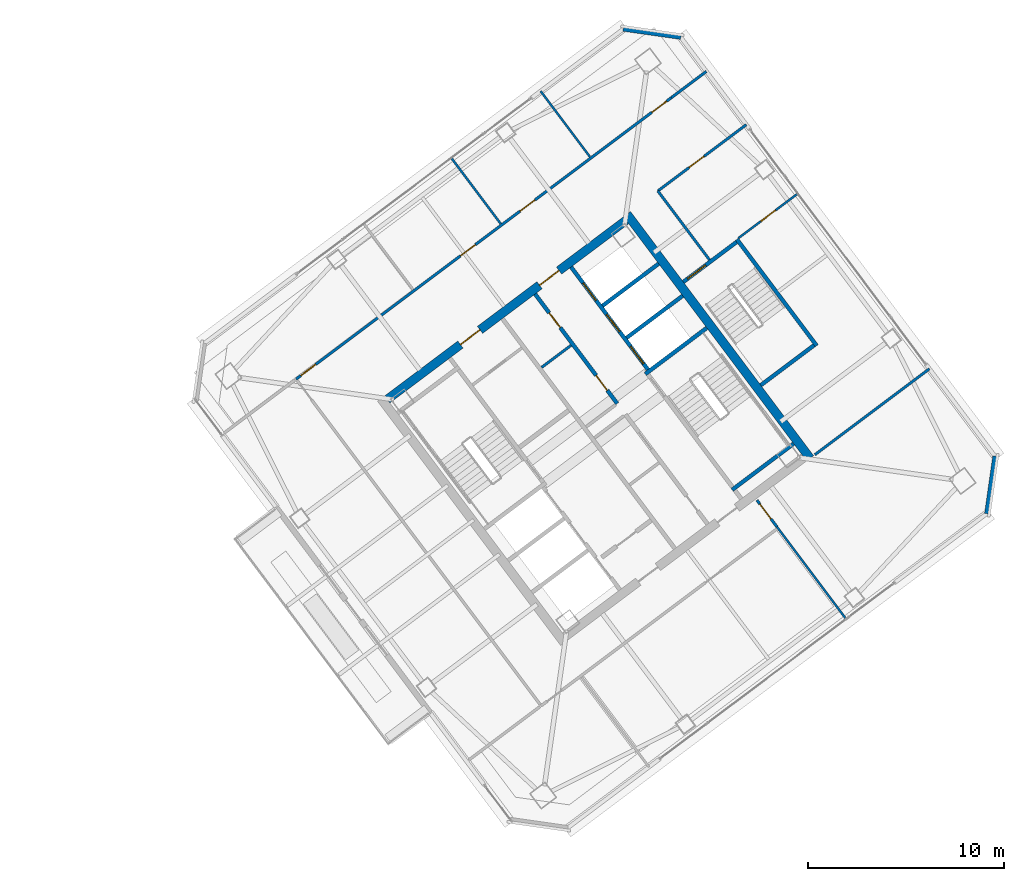
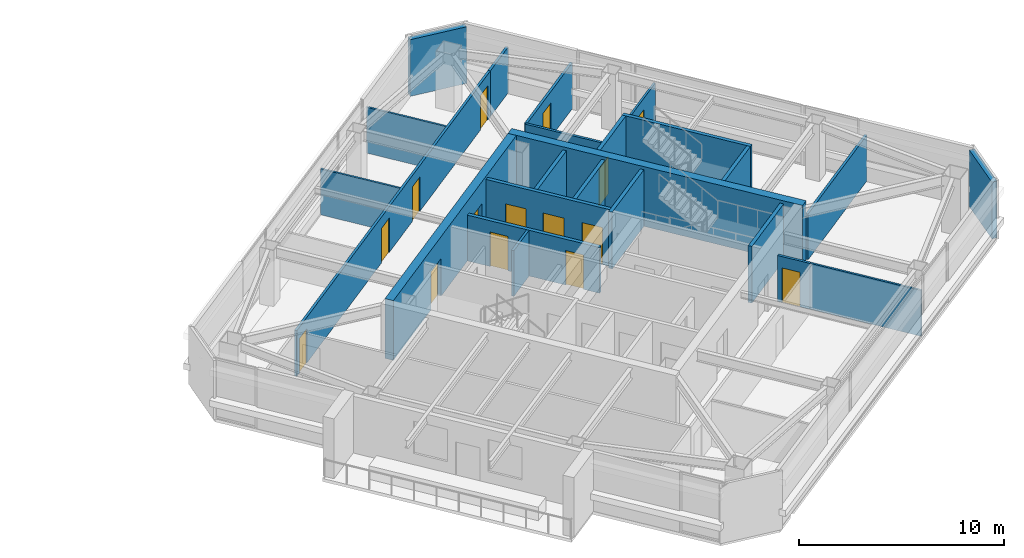
# One storey, part 32 of 40: 24 walls, 15 doors, 15 openings.
"""IFC4 building model written with IfcOpenShell, lengths in metres."""

from ifc_helpers import new_model, si_unit, direction, frame, frame_2d, origin, place, context, subcontext, project, spatial, rectangle, extrude, material, layer, layer_set, type_object, element, fill, save


model = new_model("IFC4")

# Units and contexts
model_context = context("Model", 3, precision=1e-05, world=origin(), true_north=direction((0.0, 1.0)))
body_context = subcontext(model_context, "Body", "Model", "MODEL_VIEW")
ifc_project = project(units=[si_unit("LENGTHUNIT", "METRE"), si_unit("AREAUNIT", "SQUARE_METRE"), si_unit("VOLUMEUNIT", "CUBIC_METRE"), si_unit("PLANEANGLEUNIT", "RADIAN"), si_unit("MASSUNIT", "GRAM", prefix="KILO")], contexts=[model_context])

# Site, building, storey
site_placement = place(None, origin())
site = spatial("IfcSite", under=ifc_project, at=site_placement, CompositionType="ELEMENT")
building_placement = place(site_placement, origin())
building = spatial("IfcBuilding", under=site, at=building_placement, Name="Tashvorn Skyway Center", CompositionType="ELEMENT")
storey_placement = place(building_placement, frame((0.0, 0.0, 221.949951171875)))
storey = spatial("IfcBuildingStorey", under=building, at=storey_placement, Name="L60", CompositionType="ELEMENT", Elevation=221.949951171875)

# Wall
ifc_material_1 = material(Name="Concrete C50/60", Category="concrete")
ifc_layer_1 = layer(ifc_material_1, 0.449951171875)
ifc_layer_set_1 = layer_set([ifc_layer_1], Name="Concrete C50/60")
wall_type_1 = type_object("IfcWallType", Name="WALL-CORE-450", PredefinedType="SHEAR", material=ifc_layer_set_1)
wall_1_placement = place(storey_placement, frame((115.60400390625, 42.952880859375, 0.0), z_axis=(0.0, 0.0, 1.0), x_axis=(0.600005007985, -0.799996243986, 0.0)))
element("IfcWall", 1, at=wall_1_placement, inside=storey, type_object=wall_type_1, Name="Tower 2 L60 East Core Shear Wall", PredefinedType="SHEAR", context=body_context, shape_type="SweptSolid", body=[
    extrude(rectangle(XDim=15.60009765625, YDim=0.449951171875, at=frame_2d((7.800048828125, 0.0))), origin(), (0.0, 0.0, 1.0), 3.550048828125),
])

# Wall, openings, doors
wall_2_placement = place(storey_placement, frame((103.35107421875, 33.48193359375, 0.0), z_axis=(0.0, 0.0, 1.0), x_axis=(0.8, 0.6, 0.0)))
wall_2 = element("IfcWall", 2, at=wall_2_placement, inside=storey, type_object=wall_type_1, Name="Tower 2 L60 North Core Shear Wall", PredefinedType="SHEAR", context=body_context, shape_type="SweptSolid", body=[
    extrude(rectangle(XDim=15.260009765625, YDim=0.449951171875, at=frame_2d((7.6298828125, 0.0))), origin(), (0.0, 0.0, 1.0), 3.550048828125),
])
opening_1_placement = place(wall_2_placement, frame((4.679931640625, 0.0, 0.0)))
opening_1 = element("IfcOpeningElement", 3, at=opening_1_placement, cuts=wall_2, Name="Opening D-FFL-1250", PredefinedType="OPENING", context=body_context, shape_type="SweptSolid", body=[
    extrude(rectangle(XDim=1.25, YDim=2.25, at=frame_2d((0.625, 1.125))), frame((0.0, 0.23486328125, 0.0), z_axis=(0.0, -1.0, 0.0), x_axis=(1.0, 0.0, 0.0)), (0.0, 0.0, 1.0), 0.469970703125),
])
opening_2_placement = place(wall_2_placement, frame((9.72998046875, 0.0, 0.0)))
opening_2 = element("IfcOpeningElement", 4, at=opening_2_placement, cuts=wall_2, Name="Opening D-FFL-1250", PredefinedType="OPENING", context=body_context, shape_type="SweptSolid", body=[
    extrude(rectangle(XDim=1.25, YDim=2.25, at=frame_2d((0.625, 1.125))), frame((0.0, 0.23486328125, 0.0), z_axis=(0.0, -1.0, 0.0), x_axis=(1.0, 0.0, 0.0)), (0.0, 0.0, 1.0), 0.469970703125),
])
ifc_material_2 = material(Name="Hollow galvanized steel fire door assembly", Category="steel")
door_type_1 = type_object("IfcDoorType", Name="DOOR-FFL-1250", OperationType="NOTDEFINED", PredefinedType="DOOR", material=ifc_material_2)
door_1_placement = place(opening_1_placement, origin())
door_1 = element("IfcDoor", 5, at=door_1_placement, inside=storey, type_object=door_type_1, Name="Tower 2 L60 Core North Service Lobby Door", OperationType="SINGLE_SWING_LEFT", OverallHeight=2.25, OverallWidth=1.25, PredefinedType="DOOR", context=body_context, shape_type="SweptSolid", body=[
    extrude(rectangle(XDim=1.25, YDim=2.25, at=frame_2d((0.625, 1.125))), frame((0.0, 0.02490234375, 0.0), z_axis=(0.0, -1.0, 0.0), x_axis=(1.0, 0.0, 0.0)), (0.0, 0.0, 1.0), 0.050048828125),
])
fill(opening_1, door_1)
door_2_placement = place(opening_2_placement, origin())
door_2 = element("IfcDoor", 6, at=door_2_placement, inside=storey, type_object=door_type_1, Name="Tower 2 L60 Core North Lift Lobby Door", OperationType="SINGLE_SWING_RIGHT", OverallHeight=2.25, OverallWidth=1.25, PredefinedType="DOOR", context=body_context, shape_type="SweptSolid", body=[
    extrude(rectangle(XDim=1.25, YDim=2.25, at=frame_2d((0.625, 1.125))), frame((0.0, 0.02490234375, 0.0), z_axis=(0.0, -1.0, 0.0), x_axis=(1.0, 0.0, 0.0)), (0.0, 0.0, 1.0), 0.050048828125),
])
fill(opening_2, door_2)

# Walls
ifc_material_3 = material(Name="Precast concrete C40/50", Category="concrete")
ifc_layer_2 = layer(ifc_material_3, 0.280029296875)
ifc_layer_set_2 = layer_set([ifc_layer_2], Name="Precast concrete C40/50")
wall_type_2 = type_object("IfcWallType", Name="WALL-EXT-280", PredefinedType="SOLIDWALL", material=ifc_layer_set_2)
for number, where, z_axis, x_axis, name in (
    (7, (115.419921875, 52.43994140625, 0.0), (0.0, 0.0, 1.0), (0.989954425158, -0.14138683146, 0.0), "Tower 2 L60 NE Precast Chamfer Wall"),
    (8, (134.43994140625, 30.580078125, 0.0), (0.0, 0.0, 1.0), (-0.14138683146, -0.989954425158, 0.0), "Tower 2 L60 SE Precast Chamfer Wall"),
):
    element("IfcWall", number, at=place(storey_placement, frame(where, z_axis=z_axis, x_axis=x_axis)), inside=storey, type_object=wall_type_2, Name=name, PredefinedType="SOLIDWALL", context=body_context, shape_type="SweptSolid", body=[
        extrude(rectangle(XDim=2.969970703125, YDim=0.280029296875, at=frame_2d((1.48486328125, 0.0))), origin(), (0.0, 0.0, 1.0), 3.3701171875),
    ])
ifc_material_4 = material(Name="Gypsum board on cold-formed steel stud framing", Category="steel")
ifc_layer_3 = layer(ifc_material_4, 0.110107421875)
ifc_layer_set_3 = layer_set([ifc_layer_3], Name="Gypsum board on cold-formed steel stud framing")
wall_type_3 = type_object("IfcWallType", Name="WALL-PART-110", PredefinedType="PARTITIONING", material=ifc_layer_set_3)
for number, where, z_axis, x_axis, name in (
    (9, (109.152099609375, 42.464111328125, 0.0), (0.0, 0.0, 1.0), (-0.600018601461, 0.799986048566, 0.0), "Tower 2 L60 North Suite Partition 2"),
    (10, (113.7119140625, 45.884033203125, 0.0), (0.0, 0.0, 1.0), (-0.600018601461, 0.799986048566, 0.0), "Tower 2 L60 North Suite Partition 3"),
):
    element("IfcWall", number, at=place(storey_placement, frame(where, z_axis=z_axis, x_axis=x_axis)), inside=storey, type_object=wall_type_3, Name=name, PredefinedType="PARTITIONING", context=body_context, shape_type="SweptSolid", body=[
        extrude(rectangle(XDim=4.199951171875, YDim=0.110107421875, at=frame_2d((2.10009765625, 0.0))), origin(), (0.0, 0.0, 1.0), 2.72314453125),
    ])
wall_3_placement = place(storey_placement, frame((126.80810546875, 22.256103515625, 0.0), z_axis=(0.0, 0.0, 1.0), x_axis=(-0.600026527508, 0.799980103682, 0.0)))
element("IfcWall", 11, at=wall_3_placement, inside=storey, type_object=wall_type_3, Name="Tower 2 L60 South-East Suite Wall", PredefinedType="PARTITIONING", context=body_context, shape_type="SweptSolid", body=[
    extrude(rectangle(XDim=5.89013671875, YDim=0.110107421875, at=frame_2d((2.945068359375, 0.0))), origin(), (0.0, 0.0, 1.0), 2.72314453125),
])

# Wall, opening, door
wall_4_placement = place(storey_placement, frame((124.343994140625, 44.008056640625, 0.0), z_axis=(0.0, 0.0, 1.0), x_axis=(-0.8, -0.6, 0.0)))
wall_4 = element("IfcWall", 12, at=wall_4_placement, inside=storey, type_object=wall_type_3, Name="Tower 2 L60 East Suite Partition 1", PredefinedType="PARTITIONING", context=body_context, shape_type="SweptSolid", body=[
    extrude(rectangle(XDim=3.800048828125, YDim=0.110107421875, at=frame_2d((1.89990234375, 0.0))), origin(), (0.0, 0.0, 1.0), 2.72314453125),
])
opening_3_placement = place(wall_4_placement, frame((1.425048828125, 0.0, 0.0)))
opening_3 = element("IfcOpeningElement", 13, at=opening_3_placement, cuts=wall_4, Name="Opening D-INT-950", PredefinedType="OPENING", context=body_context, shape_type="SweptSolid", body=[
    extrude(rectangle(XDim=0.949951171875, YDim=2.050048828125, at=frame_2d((0.47509765625, 1.02490234375))), frame((0.0, 0.06494140625, 0.0), z_axis=(0.0, -1.0, 0.0), x_axis=(1.0, 0.0, 0.0)), (0.0, 0.0, 1.0), 0.130126953125),
])
ifc_material_5 = material(Name="Solid-core architectural oak veneer door")
door_type_2 = type_object("IfcDoorType", Name="DOOR-INT-950", OperationType="NOTDEFINED", PredefinedType="DOOR", material=ifc_material_5)
door_3_placement = place(opening_3_placement, origin())
door_3 = element("IfcDoor", 14, at=door_3_placement, inside=storey, type_object=door_type_2, Name="Tower 2 L60 Design Studio Door", OperationType="SINGLE_SWING_RIGHT", OverallHeight=2.050048828125, OverallWidth=0.949951171875, PredefinedType="DOOR", context=body_context, shape_type="SweptSolid", body=[
    extrude(rectangle(XDim=0.949951171875, YDim=2.050048828125, at=frame_2d((0.47509765625, 1.02490234375))), frame((0.0, 0.02490234375, 0.0), z_axis=(0.0, -1.0, 0.0), x_axis=(1.0, 0.0, 0.0)), (0.0, 0.0, 1.0), 0.050048828125),
])
fill(opening_3, door_3)

# Wall
ifc_layer_4 = layer(ifc_material_4, 0.135009765625)
ifc_layer_set_4 = layer_set([ifc_layer_4], Name="Gypsum board on cold-formed steel stud framing")
wall_type_4 = type_object("IfcWallType", Name="WALL-PART-135", PredefinedType="PARTITIONING", material=ifc_layer_set_4)
wall_5_placement = place(storey_placement, frame((119.823974609375, 40.617919921875, 0.0), z_axis=(0.0, 0.0, 1.0), x_axis=(-0.599982243973, 0.800013316712, 0.0)))
element("IfcWall", 15, at=wall_5_placement, inside=storey, type_object=wall_type_4, Name="Tower 2 L60 Stair 3 Access Corridor Wall", PredefinedType="PARTITIONING", context=body_context, shape_type="SweptSolid", body=[
    extrude(rectangle(XDim=4.39990234375, YDim=0.135009765625, at=frame_2d((2.199951171875, 0.0))), origin(), (0.0, 0.0, 1.0), 2.72314453125),
])

# Wall, openings, doors
wall_6_placement = place(storey_placement, frame((98.696044921875, 34.52197265625, 0.0), z_axis=(0.0, 0.0, 1.0), x_axis=(0.799998778269, 0.600001628972, 0.0)))
wall_6 = element("IfcWall", 16, at=wall_6_placement, inside=storey, type_object=wall_type_4, Name="Tower 2 L60 North Suite Wall", PredefinedType="PARTITIONING", context=body_context, shape_type="SweptSolid", body=[
    extrude(rectangle(XDim=23.979736328125, YDim=0.135009765625, at=frame_2d((11.98974609375, 0.0))), origin(), (0.0, 0.0, 1.0), 2.72314453125),
])
opening_4_placement = place(wall_6_placement, frame((0.300048828125, 0.0, 0.0)))
opening_4 = element("IfcOpeningElement", 17, at=opening_4_placement, cuts=wall_6, Name="Opening D-INT-950", PredefinedType="OPENING", context=body_context, shape_type="SweptSolid", body=[
    extrude(rectangle(XDim=0.949951171875, YDim=2.050048828125, at=frame_2d((0.47509765625, 1.02490234375))), frame((0.0, 0.077392578125, 0.0), z_axis=(0.0, -1.0, 0.0), x_axis=(1.0, 0.0, 0.0)), (0.0, 0.0, 1.0), 0.155029296875),
])
opening_5_placement = place(wall_6_placement, frame((10.50341796875, 0.0, 0.0)))
opening_5 = element("IfcOpeningElement", 18, at=opening_5_placement, cuts=wall_6, Name="Opening D-INT-950", PredefinedType="OPENING", context=body_context, shape_type="SweptSolid", body=[
    extrude(rectangle(XDim=0.949951171875, YDim=2.050048828125, at=frame_2d((0.47509765625, 1.02490234375))), frame((0.0, 0.077392578125, 0.0), z_axis=(0.0, -1.0, 0.0), x_axis=(1.0, 0.0, 0.0)), (0.0, 0.0, 1.0), 0.155029296875),
])
opening_6_placement = place(wall_6_placement, frame((14.30810546875, 0.0, 0.0)))
opening_6 = element("IfcOpeningElement", 19, at=opening_6_placement, cuts=wall_6, Name="Opening D-INT-950", PredefinedType="OPENING", context=body_context, shape_type="SweptSolid", body=[
    extrude(rectangle(XDim=0.949951171875, YDim=2.050048828125, at=frame_2d((0.47509765625, 1.02490234375))), frame((0.0, 0.077392578125, 0.0), z_axis=(0.0, -1.0, 0.0), x_axis=(1.0, 0.0, 0.0)), (0.0, 0.0, 1.0), 0.155029296875),
])
opening_7_placement = place(wall_6_placement, frame((22.72998046875, 0.0, 0.0)))
opening_7 = element("IfcOpeningElement", 20, at=opening_7_placement, cuts=wall_6, Name="Opening D-INT-950", PredefinedType="OPENING", context=body_context, shape_type="SweptSolid", body=[
    extrude(rectangle(XDim=0.949951171875, YDim=2.050048828125, at=frame_2d((0.47509765625, 1.02490234375))), frame((0.0, 0.077392578125, 0.0), z_axis=(0.0, -1.0, 0.0), x_axis=(1.0, 0.0, 0.0)), (0.0, 0.0, 1.0), 0.155029296875),
])
door_4_placement = place(opening_4_placement, origin())
door_4 = element("IfcDoor", 21, at=door_4_placement, inside=storey, type_object=door_type_2, Name="Tower 2 L60 Research Library Door", OperationType="SINGLE_SWING_RIGHT", OverallHeight=2.050048828125, OverallWidth=0.949951171875, PredefinedType="DOOR", context=body_context, shape_type="SweptSolid", body=[
    extrude(rectangle(XDim=0.949951171875, YDim=2.050048828125, at=frame_2d((0.47509765625, 1.02490234375))), frame((0.0, 0.02490234375, 0.0), z_axis=(0.0, -1.0, 0.0), x_axis=(1.0, 0.0, 0.0)), (0.0, 0.0, 1.0), 0.050048828125),
])
fill(opening_4, door_4)
door_5_placement = place(opening_5_placement, origin())
door_5 = element("IfcDoor", 22, at=door_5_placement, inside=storey, type_object=door_type_2, Name="Tower 2 L60 Research Library Door", OperationType="SINGLE_SWING_LEFT", OverallHeight=2.050048828125, OverallWidth=0.949951171875, PredefinedType="DOOR", context=body_context, shape_type="SweptSolid", body=[
    extrude(rectangle(XDim=0.949951171875, YDim=2.050048828125, at=frame_2d((0.47509765625, 1.02490234375))), frame((0.0, 0.02490234375, 0.0), z_axis=(0.0, -1.0, 0.0), x_axis=(1.0, 0.0, 0.0)), (0.0, 0.0, 1.0), 0.050048828125),
])
fill(opening_5, door_5)
door_6_placement = place(opening_6_placement, origin())
door_6 = element("IfcDoor", 23, at=door_6_placement, inside=storey, type_object=door_type_2, Name="Tower 2 L60 Security Control Room Door", OperationType="SINGLE_SWING_RIGHT", OverallHeight=2.050048828125, OverallWidth=0.949951171875, PredefinedType="DOOR", context=body_context, shape_type="SweptSolid", body=[
    extrude(rectangle(XDim=0.949951171875, YDim=2.050048828125, at=frame_2d((0.47509765625, 1.02490234375))), frame((0.0, 0.02490234375, 0.0), z_axis=(0.0, -1.0, 0.0), x_axis=(1.0, 0.0, 0.0)), (0.0, 0.0, 1.0), 0.050048828125),
])
fill(opening_6, door_6)
door_7_placement = place(opening_7_placement, origin())
door_7 = element("IfcDoor", 24, at=door_7_placement, inside=storey, type_object=door_type_2, Name="Tower 2 L60 Research Library Door", OperationType="SINGLE_SWING_LEFT", OverallHeight=2.050048828125, OverallWidth=0.949951171875, PredefinedType="DOOR", context=body_context, shape_type="SweptSolid", body=[
    extrude(rectangle(XDim=0.949951171875, YDim=2.050048828125, at=frame_2d((0.47509765625, 1.02490234375))), frame((0.0, 0.02490234375, 0.0), z_axis=(0.0, -1.0, 0.0), x_axis=(1.0, 0.0, 0.0)), (0.0, 0.0, 1.0), 0.050048828125),
])
fill(opening_7, door_7)

# Wall
wall_7_placement = place(storey_placement, frame((117.8798828125, 48.909912109375, 0.0), z_axis=(0.0, 0.0, 1.0), x_axis=(0.8, 0.6, 0.0)))
element("IfcWall", 25, at=wall_7_placement, inside=storey, type_object=wall_type_4, Name="Tower 2 L60 North-East Suite South Wall", PredefinedType="PARTITIONING", context=body_context, shape_type="SweptSolid", body=[
    extrude(rectangle(XDim=2.230224609375, YDim=0.135009765625, at=frame_2d((1.115234375, 0.0))), origin(), (0.0, 0.0, 1.0), 2.72314453125),
])

# Wall, opening, door
wall_8_placement = place(storey_placement, frame((122.248046875, 28.3359375, 0.0), z_axis=(0.0, 0.0, 1.0), x_axis=(0.599977154362, -0.800017133719, 0.0)))
wall_8 = element("IfcWall", 26, at=wall_8_placement, inside=storey, type_object=wall_type_4, Name="Tower 2 L60 South Gallery End Wall", PredefinedType="PARTITIONING", context=body_context, shape_type="SweptSolid", body=[
    extrude(rectangle(XDim=1.7099609375, YDim=0.135009765625, at=frame_2d((0.85498046875, 0.0))), origin(), (0.0, 0.0, 1.0), 2.72314453125),
])
opening_8_placement = place(wall_8_placement, frame((0.25, 0.0, 0.0)))
opening_8 = element("IfcOpeningElement", 27, at=opening_8_placement, cuts=wall_8, Name="Opening D-INT-950", PredefinedType="OPENING", context=body_context, shape_type="SweptSolid", body=[
    extrude(rectangle(XDim=0.949951171875, YDim=2.050048828125, at=frame_2d((0.47509765625, 1.02490234375))), frame((0.0, 0.077392578125, 0.0), z_axis=(0.0, -1.0, 0.0), x_axis=(1.0, 0.0, 0.0)), (0.0, 0.0, 1.0), 0.155029296875),
])
door_8_placement = place(opening_8_placement, origin())
door_8 = element("IfcDoor", 28, at=door_8_placement, inside=storey, type_object=door_type_2, Name="Tower 2 L60 Research Library Door", OperationType="SINGLE_SWING_RIGHT", OverallHeight=2.050048828125, OverallWidth=0.949951171875, PredefinedType="DOOR", context=body_context, shape_type="SweptSolid", body=[
    extrude(rectangle(XDim=0.949951171875, YDim=2.050048828125, at=frame_2d((0.47509765625, 1.02490234375))), frame((0.0, 0.02490234375, 0.0), z_axis=(0.0, -1.0, 0.0), x_axis=(1.0, 0.0, 0.0)), (0.0, 0.0, 1.0), 0.050048828125),
])
fill(opening_8, door_8)

wall_9_placement = place(storey_placement, frame((121.7041015625, 47.528076171875, 0.0), z_axis=(0.0, 0.0, 1.0), x_axis=(-0.799989629485, -0.600013827105, 0.0)))
wall_9 = element("IfcWall", 29, at=wall_9_placement, inside=storey, type_object=wall_type_4, Name="Tower 2 L60 East Suite North Wall", PredefinedType="PARTITIONING", context=body_context, shape_type="SweptSolid", body=[
    extrude(rectangle(XDim=5.650146484375, YDim=0.135009765625, at=frame_2d((2.8251953125, 0.0))), origin(), (0.0, 0.0, 1.0), 2.72314453125),
])
opening_9_placement = place(wall_9_placement, frame((2.699951171875, 0.0, 0.0)))
opening_9 = element("IfcOpeningElement", 30, at=opening_9_placement, cuts=wall_9, Name="Opening D-INT-950", PredefinedType="OPENING", context=body_context, shape_type="SweptSolid", body=[
    extrude(rectangle(XDim=0.949951171875, YDim=2.050048828125, at=frame_2d((0.47509765625, 1.02490234375))), frame((0.0, 0.077392578125, 0.0), z_axis=(0.0, -1.0, 0.0), x_axis=(1.0, 0.0, 0.0)), (0.0, 0.0, 1.0), 0.155029296875),
])
door_9_placement = place(opening_9_placement, origin())
door_9 = element("IfcDoor", 31, at=door_9_placement, inside=storey, type_object=door_type_2, Name="Tower 2 L60 Research Library Door", OperationType="SINGLE_SWING_LEFT", OverallHeight=2.050048828125, OverallWidth=0.949951171875, PredefinedType="DOOR", context=body_context, shape_type="SweptSolid", body=[
    extrude(rectangle(XDim=0.949951171875, YDim=2.050048828125, at=frame_2d((0.47509765625, 1.02490234375))), frame((0.0, 0.02490234375, 0.0), z_axis=(0.0, -1.0, 0.0), x_axis=(1.0, 0.0, 0.0)), (0.0, 0.0, 1.0), 0.050048828125),
])
fill(opening_9, door_9)

# Walls
wall_10_placement = place(storey_placement, frame((125.2080078125, 30.656005859375, 0.0), z_axis=(0.0, 0.0, 1.0), x_axis=(0.79999199534, 0.600010672732, 0.0)))
element("IfcWall", 32, at=wall_10_placement, inside=storey, type_object=wall_type_4, Name="Tower 2 L60 East Suite South Wall", PredefinedType="PARTITIONING", context=body_context, shape_type="SweptSolid", body=[
    extrude(rectangle(XDim=7.320068359375, YDim=0.135009765625, at=frame_2d((3.66015625, 0.0))), origin(), (0.0, 0.0, 1.0), 2.72314453125),
])
ifc_layer_5 = layer(ifc_material_4, 0.135009765625)
ifc_layer_set_5 = layer_set([ifc_layer_5], Name="Gypsum board on cold-formed steel stud framing")
wall_type_5 = type_object("IfcWallType", Name="WALL-RATED-135", PredefinedType="PARTITIONING", material=ifc_layer_set_5)
wall_11_placement = place(storey_placement, frame((111.24609375, 35.1220703125, 0.0), z_axis=(0.0, 0.0, 1.0), x_axis=(0.8, 0.6, 0.0)))
element("IfcWall", 33, at=wall_11_placement, inside=storey, type_object=wall_type_5, Name="Tower 2 L60 Freed Mid-Rise Partition", PredefinedType="PARTITIONING", context=body_context, shape_type="SweptSolid", body=[
    extrude(rectangle(XDim=1.8798828125, YDim=0.135009765625, at=frame_2d((0.93994140625, 0.0))), origin(), (0.0, 0.0, 1.0), 2.72314453125),
])
ifc_material_6 = material(Name="Concrete C40/50", Category="concrete")
ifc_layer_6 = layer(ifc_material_6, 0.199951171875)
ifc_layer_set_6 = layer_set([ifc_layer_6], Name="Concrete C40/50")
wall_type_6 = type_object("IfcWallType", Name="WALL-SHAFT-200", PredefinedType="SOLIDWALL", material=ifc_layer_set_6)
for number, where, z_axis, x_axis, name in (
    (34, (115.590087890625, 36.6298828125, 0.0), (0.0, 0.0, 1.0), (0.799975449747, 0.600032732276, 0.0), "Tower 2 L60 High-Rise Shaft Divider"),
    (35, (114.360107421875, 38.27001953125, 0.0), (0.0, 0.0, 1.0), (0.800008183455, 0.599989088572, 0.0), "Tower 2 L60 High-Rise Shaft Divider"),
):
    element("IfcWall", number, at=place(storey_placement, frame(where, z_axis=z_axis, x_axis=x_axis)), inside=storey, type_object=wall_type_6, Name=name, PredefinedType="SOLIDWALL", context=body_context, shape_type="SweptSolid", body=[
        extrude(rectangle(XDim=3.580078125, YDim=0.199951171875, at=frame_2d((1.7900390625, 0.0))), origin(), (0.0, 0.0, 1.0), 3.3701171875),
    ])

# Wall, openings, doors
wall_12_placement = place(storey_placement, frame((115.110107421875, 33.27001953125, 0.0), z_axis=(0.0, 0.0, 1.0), x_axis=(-0.600011160345, 0.79999162962, 0.0)))
wall_12 = element("IfcWall", 36, at=wall_12_placement, inside=storey, type_object=wall_type_6, Name="Tower 2 L60 Mid-Rise Core Wall", PredefinedType="SOLIDWALL", context=body_context, shape_type="SweptSolid", body=[
    extrude(rectangle(XDim=7.000244140625, YDim=0.199951171875, at=frame_2d((3.5, 0.0))), origin(), (0.0, 0.0, 1.0), 2.72314453125),
])
opening_10_placement = place(wall_12_placement, frame((0.85009765625, 0.0, 0.0)))
opening_10 = element("IfcOpeningElement", 37, at=opening_10_placement, cuts=wall_12, Name="Opening D-RT-950", PredefinedType="OPENING", context=body_context, shape_type="SweptSolid", body=[
    extrude(rectangle(XDim=0.949951171875, YDim=2.050048828125, at=frame_2d((0.47509765625, 1.02490234375))), frame((0.0, 0.10986328125, 0.0), z_axis=(0.0, -1.0, 0.0), x_axis=(1.0, 0.0, 0.0)), (0.0, 0.0, 1.0), 0.219970703125),
])
opening_11_placement = place(wall_12_placement, frame((4.85009765625, 0.0, 0.0)))
opening_11 = element("IfcOpeningElement", 38, at=opening_11_placement, cuts=wall_12, Name="Opening D-RT-950", PredefinedType="OPENING", context=body_context, shape_type="SweptSolid", body=[
    extrude(rectangle(XDim=0.949951171875, YDim=2.050048828125, at=frame_2d((0.47509765625, 1.02490234375))), frame((0.0, 0.10986328125, 0.0), z_axis=(0.0, -1.0, 0.0), x_axis=(1.0, 0.0, 0.0)), (0.0, 0.0, 1.0), 0.219970703125),
])
door_type_3 = type_object("IfcDoorType", Name="DOOR-RATED-950", OperationType="NOTDEFINED", PredefinedType="DOOR", material=ifc_material_2)
door_10_placement = place(opening_10_placement, origin())
door_10 = element("IfcDoor", 39, at=door_10_placement, inside=storey, type_object=door_type_3, Name="Tower 2 L60 Core IT Room Door", OperationType="SINGLE_SWING_RIGHT", OverallHeight=2.050048828125, OverallWidth=0.949951171875, PredefinedType="DOOR", context=body_context, shape_type="SweptSolid", body=[
    extrude(rectangle(XDim=0.949951171875, YDim=2.050048828125, at=frame_2d((0.47509765625, 1.02490234375))), frame((0.0, 0.02490234375, 0.0), z_axis=(0.0, -1.0, 0.0), x_axis=(1.0, 0.0, 0.0)), (0.0, 0.0, 1.0), 0.050048828125),
])
fill(opening_10, door_10)
door_11_placement = place(opening_11_placement, origin())
door_11 = element("IfcDoor", 40, at=door_11_placement, inside=storey, type_object=door_type_3, Name="Tower 2 L60 Core Catering Pantry Door", OperationType="SINGLE_SWING_LEFT", OverallHeight=2.050048828125, OverallWidth=0.949951171875, PredefinedType="DOOR", context=body_context, shape_type="SweptSolid", body=[
    extrude(rectangle(XDim=0.949951171875, YDim=2.050048828125, at=frame_2d((0.47509765625, 1.02490234375))), frame((0.0, 0.02490234375, 0.0), z_axis=(0.0, -1.0, 0.0), x_axis=(1.0, 0.0, 0.0)), (0.0, 0.0, 1.0), 0.050048828125),
])
fill(opening_11, door_11)

# Walls
ifc_layer_7 = layer(ifc_material_6, 0.199951171875)
ifc_layer_set_7 = layer_set([ifc_layer_7], Name="Concrete C40/50")
wall_type_7 = type_object("IfcWallType", Name="WALL-STSHF-200", PredefinedType="SHEAR", material=ifc_layer_set_7)
for number, where, z_axis, x_axis, name in (
    (41, (116.5400390625, 34.780029296875, 0.0), (0.0, 0.0, 1.0), (0.800014909178, 0.599980120581, 0.0), "Tower 2 L60 Stair 2 North Wall"),
    (42, (120.97998046875, 28.860107421875, 0.0), (0.0, 0.0, 1.0), (0.800014909178, 0.599980120581, 0.0), "Tower 2 L60 Stair 2 South Wall"),
):
    element("IfcWall", number, at=place(storey_placement, frame(where, z_axis=z_axis, x_axis=x_axis)), inside=storey, type_object=wall_type_7, Name=name, PredefinedType="SHEAR", context=body_context, shape_type="SweptSolid", body=[
        extrude(rectangle(XDim=3.929931640625, YDim=0.199951171875, at=frame_2d((1.96484375, 0.0))), origin(), (0.0, 0.0, 1.0), 3.3701171875),
    ])

# Wall, openings, doors
wall_13_placement = place(storey_placement, frame((112.75, 40.25, 0.0), z_axis=(0.0, 0.0, 1.0), x_axis=(0.599994036198, -0.800004472816, 0.0)))
wall_13 = element("IfcWall", 43, at=wall_13_placement, inside=storey, type_object=wall_type_7, Name="Tower 2 L60 High-Rise Lift Shaft Front Wall", PredefinedType="SHEAR", context=body_context, shape_type="SweptSolid", body=[
    extrude(rectangle(XDim=6.550048828125, YDim=0.199951171875, at=frame_2d((3.27490234375, 0.0))), origin(), (0.0, 0.0, 1.0), 3.3701171875),
])
opening_12_placement = place(wall_13_placement, frame((5.074951171875, 0.0, 0.0)))
opening_12 = element("IfcOpeningElement", 44, at=opening_12_placement, cuts=wall_13, Name="Opening LD-HR-T2-1-L60", PredefinedType="OPENING", context=body_context, shape_type="SweptSolid", body=[
    extrude(rectangle(XDim=1.10009765625, YDim=2.199951171875, at=frame_2d((0.550048828125, 1.10009765625))), frame((0.0, 0.10986328125, 0.0), z_axis=(0.0, -1.0, 0.0), x_axis=(1.0, 0.0, 0.0)), (0.0, 0.0, 1.0), 0.219970703125),
])
opening_13_placement = place(wall_13_placement, frame((3.02490234375, 0.0, 0.0)))
opening_13 = element("IfcOpeningElement", 45, at=opening_13_placement, cuts=wall_13, Name="Opening LD-HR-T2-2-L60", PredefinedType="OPENING", context=body_context, shape_type="SweptSolid", body=[
    extrude(rectangle(XDim=1.10009765625, YDim=2.199951171875, at=frame_2d((0.550048828125, 1.10009765625))), frame((0.0, 0.10986328125, 0.0), z_axis=(0.0, -1.0, 0.0), x_axis=(1.0, 0.0, 0.0)), (0.0, 0.0, 1.0), 0.219970703125),
])
opening_14_placement = place(wall_13_placement, frame((1.02490234375, 0.0, 0.0)))
opening_14 = element("IfcOpeningElement", 46, at=opening_14_placement, cuts=wall_13, Name="Opening LD-HR-T2-3-L60", PredefinedType="OPENING", context=body_context, shape_type="SweptSolid", body=[
    extrude(rectangle(XDim=1.10009765625, YDim=2.199951171875, at=frame_2d((0.550048828125, 1.10009765625))), frame((0.0, 0.10986328125, 0.0), z_axis=(0.0, -1.0, 0.0), x_axis=(1.0, 0.0, 0.0)), (0.0, 0.0, 1.0), 0.219970703125),
])
ifc_material_7 = material(Name="Stainless steel landing door", Category="steel")
door_type_4 = type_object("IfcDoorType", Name="DOOR-LIFT-1100", OperationType="SLIDING_TO_LEFT", PredefinedType="DOOR", material=ifc_material_7)
door_12_placement = place(opening_12_placement, origin())
door_12 = element("IfcDoor", 47, at=door_12_placement, inside=storey, type_object=door_type_4, Name="Lift HR-T2-1 L60 Landing Door", OperationType="SLIDING_TO_LEFT", OverallHeight=2.199951171875, OverallWidth=1.10009765625, PredefinedType="DOOR", context=body_context, shape_type="SweptSolid", body=[
    extrude(rectangle(XDim=1.10009765625, YDim=2.199951171875, at=frame_2d((0.550048828125, 1.10009765625))), frame((0.0, 0.02490234375, 0.0), z_axis=(0.0, -1.0, 0.0), x_axis=(1.0, 0.0, 0.0)), (0.0, 0.0, 1.0), 0.050048828125),
])
fill(opening_12, door_12)
door_13_placement = place(opening_13_placement, origin())
door_13 = element("IfcDoor", 48, at=door_13_placement, inside=storey, type_object=door_type_4, Name="Lift HR-T2-2 L60 Landing Door", OperationType="SLIDING_TO_LEFT", OverallHeight=2.199951171875, OverallWidth=1.10009765625, PredefinedType="DOOR", context=body_context, shape_type="SweptSolid", body=[
    extrude(rectangle(XDim=1.10009765625, YDim=2.199951171875, at=frame_2d((0.550048828125, 1.10009765625))), frame((0.0, 0.02490234375, 0.0), z_axis=(0.0, -1.0, 0.0), x_axis=(1.0, 0.0, 0.0)), (0.0, 0.0, 1.0), 0.050048828125),
])
fill(opening_13, door_13)
door_14_placement = place(opening_14_placement, origin())
door_14 = element("IfcDoor", 49, at=door_14_placement, inside=storey, type_object=door_type_4, Name="Lift HR-T2-3 L60 Landing Door", OperationType="SLIDING_TO_LEFT", OverallHeight=2.199951171875, OverallWidth=1.10009765625, PredefinedType="DOOR", context=body_context, shape_type="SweptSolid", body=[
    extrude(rectangle(XDim=1.10009765625, YDim=2.199951171875, at=frame_2d((0.550048828125, 1.10009765625))), frame((0.0, 0.02490234375, 0.0), z_axis=(0.0, -1.0, 0.0), x_axis=(1.0, 0.0, 0.0)), (0.0, 0.0, 1.0), 0.050048828125),
])
fill(opening_14, door_14)

# Wall
wall_14_placement = place(storey_placement, frame((125.303955078125, 36.22802734375, 0.0), z_axis=(0.0, 0.0, 1.0), x_axis=(-0.59998851072, 0.800008616831, 0.0)))
element("IfcWall", 50, at=wall_14_placement, inside=storey, type_object=wall_type_7, Name="Tower 2 L60 Stair 3 Outer Wall", PredefinedType="SHEAR", context=body_context, shape_type="SweptSolid", body=[
    extrude(rectangle(XDim=6.7998046875, YDim=0.199951171875, at=frame_2d((3.39990234375, 0.0))), origin(), (0.0, 0.0, 1.0), 3.3701171875),
])

# Wall, opening, door
wall_15_placement = place(storey_placement, frame((121.2041015625, 41.528076171875, 0.0), z_axis=(0.0, 0.0, 1.0), x_axis=(-0.800017232136, -0.599977023131, 0.0)))
wall_15 = element("IfcWall", 51, at=wall_15_placement, inside=storey, type_object=wall_type_7, Name="Tower 2 L60 Stair 3 Enclosure Wall", PredefinedType="SHEAR", context=body_context, shape_type="SweptSolid", body=[
    extrude(rectangle(XDim=3.400146484375, YDim=0.199951171875, at=frame_2d((1.7001953125, 0.0))), origin(), (0.0, 0.0, 1.0), 3.3701171875),
])
opening_15_placement = place(wall_15_placement, frame((1.97509765625, 0.0, 0.0)))
opening_15 = element("IfcOpeningElement", 52, at=opening_15_placement, cuts=wall_15, Name="Opening D-ST-1150", PredefinedType="OPENING", context=body_context, shape_type="SweptSolid", body=[
    extrude(rectangle(XDim=1.14990234375, YDim=2.199951171875, at=frame_2d((0.574951171875, 1.10009765625))), frame((0.0, 0.10986328125, 0.0), z_axis=(0.0, -1.0, 0.0), x_axis=(1.0, 0.0, 0.0)), (0.0, 0.0, 1.0), 0.219970703125),
])
door_type_5 = type_object("IfcDoorType", Name="DOOR-STAIR-1150", OperationType="NOTDEFINED", PredefinedType="DOOR", material=ifc_material_2)
door_15_placement = place(opening_15_placement, origin())
door_15 = element("IfcDoor", 53, at=door_15_placement, inside=storey, type_object=door_type_5, Name="Tower 2 L60 Exit Stair 3 Door", OperationType="SINGLE_SWING_RIGHT", OverallHeight=2.199951171875, OverallWidth=1.14990234375, PredefinedType="DOOR", context=body_context, shape_type="SweptSolid", body=[
    extrude(rectangle(XDim=1.14990234375, YDim=2.199951171875, at=frame_2d((0.574951171875, 1.10009765625))), frame((0.0, 0.02490234375, 0.0), z_axis=(0.0, -1.0, 0.0), x_axis=(1.0, 0.0, 0.0)), (0.0, 0.0, 1.0), 0.050048828125),
])
fill(opening_15, door_15)

# Wall
wall_16_placement = place(storey_placement, frame((122.444091796875, 34.2080078125, 0.0), z_axis=(0.0, 0.0, 1.0), x_axis=(0.79999138319, 0.600011488909, 0.0)))
element("IfcWall", 54, at=wall_16_placement, inside=storey, type_object=wall_type_7, Name="Tower 2 L60 Stair 3 South Wall", PredefinedType="SHEAR", context=body_context, shape_type="SweptSolid", body=[
    extrude(rectangle(XDim=3.39990234375, YDim=0.199951171875, at=frame_2d((1.699951171875, 0.0))), origin(), (0.0, 0.0, 1.0), 3.3701171875),
])

save(model, "model.ifc")
